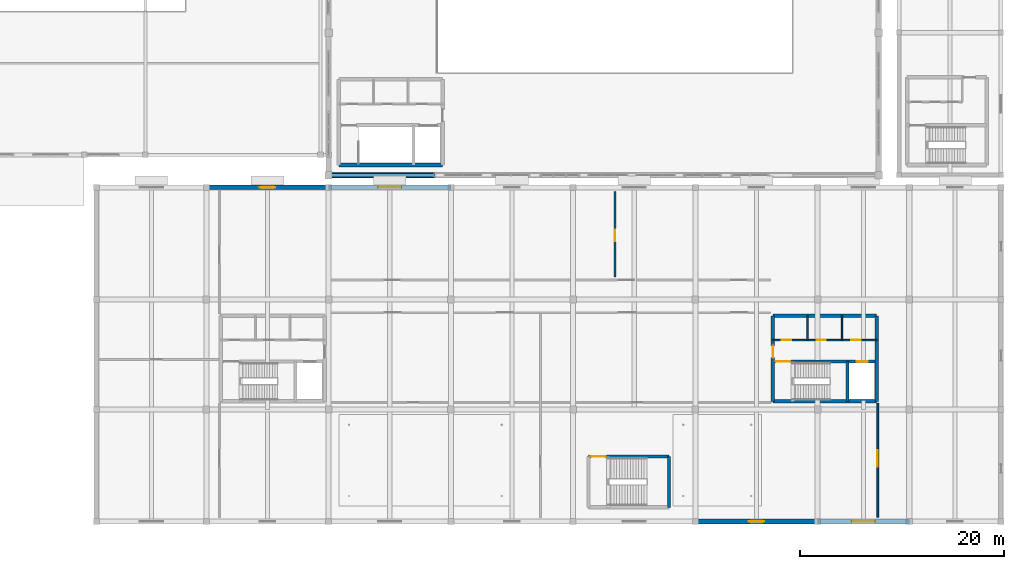
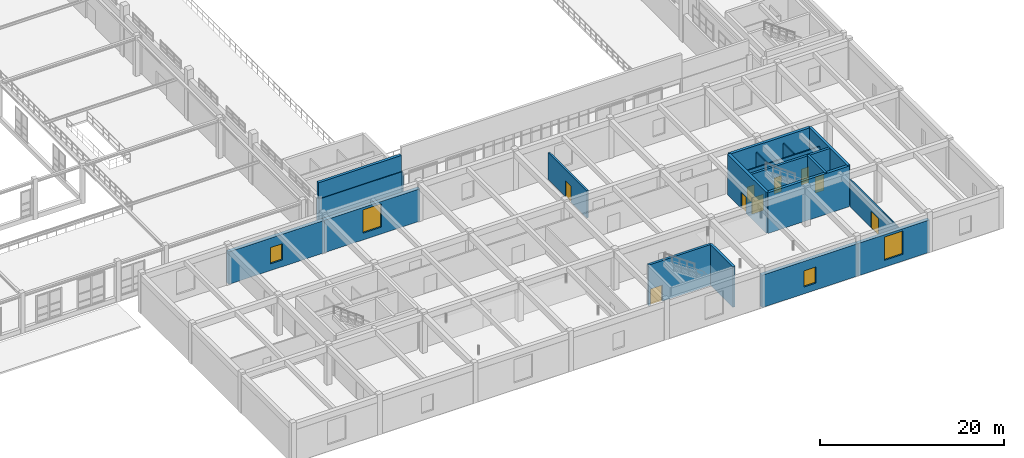
# One storey, part 176 of 197: 20 walls, 9 doors, 4 windows, 13 openings.
"""IFC4 building model written with IfcOpenShell, lengths in metres."""

from ifc_helpers import new_model, si_unit, derived_unit, direction, frame, frame_2d, origin, place, context, subcontext, project, spatial, rectangle, extrude, material, layer, layer_set, type_object, element, fill, save


model = new_model("IFC4")

# Units and contexts
model_context = context("Model", 3, precision=1e-05, world=origin(), true_north=direction((0.0, 1.0)))
body_context = subcontext(model_context, "Body", "Model", "MODEL_VIEW")
ifc_project = project(units=[si_unit("LENGTHUNIT", "METRE"), si_unit("AREAUNIT", "SQUARE_METRE"), si_unit("VOLUMEUNIT", "CUBIC_METRE"), si_unit("PLANEANGLEUNIT", "RADIAN"), si_unit("MASSUNIT", "GRAM", prefix="KILO"), derived_unit("THERMALTRANSMITTANCEUNIT", [(si_unit("POWERUNIT", "WATT"), 1), (si_unit("LENGTHUNIT", "METRE"), -2), (si_unit("THERMODYNAMICTEMPERATUREUNIT", "KELVIN"), -1)])], contexts=[model_context])

# Site, building, storey
site_placement = place(None, origin())
site = spatial("IfcSite", under=ifc_project, at=site_placement, CompositionType="ELEMENT")
building_placement = place(site_placement, origin())
building = spatial("IfcBuilding", under=site, at=building_placement, Name="Almenara Railside Exhibition Hall", CompositionType="ELEMENT")
storey_placement = place(building_placement, frame((0.0, 0.0, 5.39990234375)))
storey = spatial("IfcBuildingStorey", under=building, at=storey_placement, Name="L01", CompositionType="ELEMENT", Elevation=5.39990234375)

# Wall, opening, door
ifc_material_1 = material(Name="Double-stud acoustic gypsum partition")
ifc_layer_1 = layer(ifc_material_1, 0.159912109375, Name="Double-stud acoustic gypsum partition")
ifc_layer_set_1 = layer_set([ifc_layer_1], Name="Double-stud acoustic gypsum partition")
wall_type_1 = type_object("IfcWallType", Name="Acoustic Congress Partition 160mm", PredefinedType="PARTITIONING", material=ifc_layer_set_1)
wall_1_placement = place(storey_placement, frame((191.89990234375, 0.39990234375, 0.0), z_axis=(0.0, 0.0, 1.0), x_axis=(0.0, 1.0, 0.0)))
wall_1 = element("IfcWall", 1, at=wall_1_placement, inside=storey, type_object=wall_type_1, Name="Interior wall 0383", PredefinedType="PARTITIONING", context=body_context, shape_type="SweptSolid", body=[
    extrude(rectangle(XDim=11.2001953125, YDim=0.159912109375, at=frame_2d((5.60009765625, 0.0))), origin(), (0.0, 0.0, 1.0), 3.60009765625),
])
opening_1_placement = place(wall_1_placement, frame((5.0, 0.0, 0.0)))
opening_1 = element("IfcOpeningElement", 2, at=opening_1_placement, cuts=wall_1, Name="Opening ID-16", PredefinedType="OPENING", context=body_context, shape_type="SweptSolid", body=[
    extrude(rectangle(XDim=1.60009765625, YDim=2.199951171875, at=frame_2d((0.800048828125, 1.10009765625))), frame((0.0, 0.08984375, 0.0), z_axis=(0.0, -1.0, 0.0), x_axis=(1.0, 0.0, 0.0)), (0.0, 0.0, 1.0), 0.179931640625),
])
ifc_material_2 = material(Name="Iroko hardwood double door", Category="wood")
door_type_1 = type_object("IfcDoorType", Name="Meeting Suite Double Door 1600x2200", OperationType="NOTDEFINED", PredefinedType="DOOR", material=ifc_material_2)
door_1_placement = place(opening_1_placement, origin())
door_1 = element("IfcDoor", 3, at=door_1_placement, inside=storey, type_object=door_type_1, Name="Interior door ID-16-252", OperationType="DOUBLE_DOOR_SINGLE_SWING", OverallHeight=2.199951171875, OverallWidth=1.60009765625, PredefinedType="DOOR", context=body_context, shape_type="SweptSolid", body=[
    extrude(rectangle(XDim=1.60009765625, YDim=2.199951171875, at=frame_2d((0.800048828125, 1.10009765625))), frame((0.0, 0.02490234375, 0.0), z_axis=(0.0, -1.0, 0.0), x_axis=(1.0, 0.0, 0.0)), (0.0, 0.0, 1.0), 0.050048828125),
])
fill(opening_1, door_1)

# Walls
ifc_material_3 = material(Name="Concrete C35/45", Category="concrete")
ifc_layer_2 = layer(ifc_material_3, 0.35009765625, Name="Concrete C35/45")
ifc_layer_set_2 = layer_set([ifc_layer_2], Name="Concrete C35/45")
wall_type_2 = type_object("IfcWallType", Name="Core Coupled Shear Wall 350mm C35/45", PredefinedType="SHEAR", material=ifc_layer_set_2)
for number, where, z_axis, x_axis, name in (
    (4, (139.0, 35.0, 0.0), (0.0, 0.0, 1.0), (1.0, 0.0, 0.0), "Interior wall 0064"),
    (5, (181.60009765625, 11.800048828125, 0.0), (0.0, 0.0, 1.0), (1.0, 0.0, 0.0), "Interior wall 0163"),
    (6, (191.800048828125, 20.199951171875, 0.0), (0.0, 0.0, 1.0), (-1.0, 0.0, 0.0), "Interior wall 0164"),
):
    element("IfcWall", number, at=place(storey_placement, frame(where, z_axis=z_axis, x_axis=x_axis)), inside=storey, type_object=wall_type_2, Name=name, PredefinedType="SHEAR", context=body_context, shape_type="SweptSolid", body=[
        extrude(rectangle(XDim=10.199951171875, YDim=0.35009765625, at=frame_2d((5.10009765625, 0.0))), origin(), (0.0, 0.0, 1.0), 5.400146484375),
    ])

# Wall, opening, door
wall_2_placement = place(storey_placement, frame((181.60009765625, 20.199951171875, 0.0), z_axis=(0.0, 0.0, 1.0), x_axis=(0.0, -1.0, 0.0)))
wall_2 = element("IfcWall", 7, at=wall_2_placement, inside=storey, type_object=wall_type_2, Name="Interior wall 0165", PredefinedType="SHEAR", context=body_context, shape_type="SweptSolid", body=[
    extrude(rectangle(XDim=8.39990234375, YDim=0.35009765625, at=frame_2d((4.199951171875, 0.0))), origin(), (0.0, 0.0, 1.0), 5.400146484375),
])
opening_2_placement = place(wall_2_placement, frame((2.949951171875, 0.0, 0.0)))
opening_2 = element("IfcOpeningElement", 8, at=opening_2_placement, cuts=wall_2, Name="Opening FD-115", PredefinedType="OPENING", context=body_context, shape_type="SweptSolid", body=[
    extrude(rectangle(XDim=1.14990234375, YDim=2.14990234375, at=frame_2d((0.574951171875, 1.074951171875))), frame((0.0, 0.18505859375, 0.0), z_axis=(0.0, -1.0, 0.0), x_axis=(1.0, 0.0, 0.0)), (0.0, 0.0, 1.0), 0.3701171875),
])
ifc_material_4 = material(Name="Fire-rated iroko timber door", Category="wood")
door_type_2 = type_object("IfcDoorType", Name="Core Lobby Fire Door 1150x2150 EI60", OperationType="NOTDEFINED", PredefinedType="DOOR", material=ifc_material_4)
door_2_placement = place(opening_2_placement, origin())
door_2 = element("IfcDoor", 9, at=door_2_placement, inside=storey, type_object=door_type_2, Name="Interior door FD-115-109", OperationType="SINGLE_SWING_LEFT", OverallHeight=2.14990234375, OverallWidth=1.14990234375, PredefinedType="DOOR", context=body_context, shape_type="SweptSolid", body=[
    extrude(rectangle(XDim=1.14990234375, YDim=2.14990234375, at=frame_2d((0.574951171875, 1.074951171875))), frame((0.0, 0.02490234375, 0.0), z_axis=(0.0, -1.0, 0.0), x_axis=(1.0, 0.0, 0.0)), (0.0, 0.0, 1.0), 0.050048828125),
])
fill(opening_2, door_2)

# Walls
wall_3_placement = place(storey_placement, frame((191.800048828125, 11.800048828125, 0.0), z_axis=(0.0, 0.0, 1.0), x_axis=(0.0, 1.0, 0.0)))
element("IfcWall", 10, at=wall_3_placement, inside=storey, type_object=wall_type_2, Name="Interior wall 0166", PredefinedType="SHEAR", context=body_context, shape_type="SweptSolid", body=[
    extrude(rectangle(XDim=8.39990234375, YDim=0.35009765625, at=frame_2d((4.199951171875, 0.0))), origin(), (0.0, 0.0, 1.0), 5.400146484375),
])
ifc_material_5 = material(Name="Ochre-white lime-rendered masonry over Concrete C35/45", Category="masonry")
ifc_layer_3 = layer(ifc_material_5, 0.3349609375, Name="Ochre-white lime-rendered masonry over Concrete C35/45")
ifc_layer_set_3 = layer_set([ifc_layer_3], Name="Ochre-white lime-rendered masonry over Concrete C35/45")
wall_type_3 = type_object("IfcWallType", Name="Exterior Belvedere Wall 335mm C35/45", PredefinedType="SOLIDWALL", material=ifc_layer_set_3)
wall_4_placement = place(storey_placement, frame((138.0, 34.0, 6.400146484375), z_axis=(0.0, 0.0, 1.0), x_axis=(1.0, 0.0, 0.0)))
element("IfcWall", 11, at=wall_4_placement, inside=storey, type_object=wall_type_3, Name="Exterior wall 0330", PredefinedType="SOLIDWALL", context=body_context, shape_type="SweptSolid", body=[
    extrude(rectangle(XDim=10.39990234375, YDim=0.3349609375, at=frame_2d((5.199951171875, 0.0))), origin(), (0.0, 0.0, 1.0), 2.118408203125),
])

# Wall, opening, window
ifc_layer_4 = layer(ifc_material_5, 0.449951171875, Name="Ochre-white lime-rendered masonry over Concrete C35/45")
ifc_layer_set_4 = layer_set([ifc_layer_4], Name="Ochre-white lime-rendered masonry over Concrete C35/45")
wall_type_4 = type_object("IfcWallType", Name="Exterior Civic Stucco Wall 450mm C35/45", PredefinedType="SOLIDWALL", material=ifc_layer_set_4)
wall_5_placement = place(storey_placement, frame((138.0, 32.800048828125, 0.0), z_axis=(0.0, 0.0, 1.0), x_axis=(-1.0, 0.0, 0.0)))
wall_5 = element("IfcWall", 12, at=wall_5_placement, inside=storey, type_object=wall_type_4, Name="Exterior wall 0211", PredefinedType="SOLIDWALL", context=body_context, shape_type="SweptSolid", body=[
    extrude(rectangle(XDim=12.0, YDim=0.449951171875, at=frame_2d((6.0, 0.0))), origin(), (0.0, 0.0, 1.0), 4.300048828125),
])
opening_3_placement = place(wall_5_placement, frame((5.25, 0.0, 0.89990234375)))
opening_3 = element("IfcOpeningElement", 13, at=opening_3_placement, cuts=wall_5, Name="Opening W-08", PredefinedType="OPENING", context=body_context, shape_type="SweptSolid", body=[
    extrude(rectangle(XDim=1.5, YDim=2.14990234375, at=frame_2d((0.75, 1.074951171875))), frame((0.0, 0.23486328125, 0.0), z_axis=(0.0, -1.0, 0.0), x_axis=(1.0, 0.0, 0.0)), (0.0, 0.0, 1.0), 0.469970703125),
])
ifc_material_6 = material(Name="Bronze-anodised aluminium and low-E double glazing", Category="aluminium")
window_type_1 = type_object("IfcWindowType", Name="Seminar Deep-Reveal Window 1500x2150", PartitioningType="DOUBLE_PANEL_VERTICAL", PredefinedType="WINDOW", material=ifc_material_6)
window_1_placement = place(opening_3_placement, origin())
window_1 = element("IfcWindow", 14, at=window_1_placement, inside=storey, type_object=window_type_1, Name="Window 0066", OverallHeight=2.14990234375, OverallWidth=1.5, PartitioningType="DOUBLE_PANEL_VERTICAL", PredefinedType="WINDOW", context=body_context, shape_type="SweptSolid", body=[
    extrude(rectangle(XDim=1.5, YDim=2.14990234375, at=frame_2d((0.75, 1.074951171875))), frame((0.0, 0.030029296875, 0.0), z_axis=(0.0, -1.0, 0.0), x_axis=(1.0, 0.0, 0.0)), (0.0, 0.0, 1.0), 0.06005859375),
])
fill(opening_3, window_1)

wall_6_placement = place(storey_placement, frame((150.0, 32.800048828125, 0.0), z_axis=(0.0, 0.0, 1.0), x_axis=(-1.0, 0.0, 0.0)))
wall_6 = element("IfcWall", 15, at=wall_6_placement, inside=storey, type_object=wall_type_4, Name="Exterior wall 0213", PredefinedType="SOLIDWALL", context=body_context, shape_type="SweptSolid", body=[
    extrude(rectangle(XDim=12.0, YDim=0.449951171875, at=frame_2d((6.0, 0.0))), origin(), (0.0, 0.0, 1.0), 4.300048828125),
])
opening_4_placement = place(wall_6_placement, frame((4.85009765625, 0.0, 0.89990234375)))
opening_4 = element("IfcOpeningElement", 16, at=opening_4_placement, cuts=wall_6, Name="Opening W-02", PredefinedType="OPENING", context=body_context, shape_type="SweptSolid", body=[
    extrude(rectangle(XDim=2.300048828125, YDim=3.10009765625, at=frame_2d((1.14990234375, 1.550048828125))), frame((0.0, 0.23486328125, 0.0), z_axis=(0.0, -1.0, 0.0), x_axis=(1.0, 0.0, 0.0)), (0.0, 0.0, 1.0), 0.469970703125),
])
window_type_2 = type_object("IfcWindowType", Name="Arched Congress Tall Window 2300x3100", PartitioningType="DOUBLE_PANEL_VERTICAL", PredefinedType="WINDOW", material=ifc_material_6)
window_2_placement = place(opening_4_placement, origin())
window_2 = element("IfcWindow", 17, at=window_2_placement, inside=storey, type_object=window_type_2, Name="Window 0068", OverallHeight=3.10009765625, OverallWidth=2.300048828125, PartitioningType="DOUBLE_PANEL_VERTICAL", PredefinedType="WINDOW", context=body_context, shape_type="SweptSolid", body=[
    extrude(rectangle(XDim=2.300048828125, YDim=3.10009765625, at=frame_2d((1.14990234375, 1.550048828125))), frame((0.0, 0.030029296875, 0.0), z_axis=(0.0, -1.0, 0.0), x_axis=(1.0, 0.0, 0.0)), (0.0, 0.0, 1.0), 0.06005859375),
])
fill(opening_4, window_2)

wall_7_placement = place(storey_placement, frame((174.0, 0.0, 0.0), z_axis=(0.0, 0.0, 1.0), x_axis=(1.0, 0.0, 0.0)))
wall_7 = element("IfcWall", 18, at=wall_7_placement, inside=storey, type_object=wall_type_4, Name="Exterior wall 0218", PredefinedType="SOLIDWALL", context=body_context, shape_type="SweptSolid", body=[
    extrude(rectangle(XDim=12.0, YDim=0.449951171875, at=frame_2d((6.0, 0.0))), origin(), (0.0, 0.0, 1.0), 4.300048828125),
])
opening_5_placement = place(wall_7_placement, frame((5.25, 0.0, 0.89990234375)))
opening_5 = element("IfcOpeningElement", 19, at=opening_5_placement, cuts=wall_7, Name="Opening W-08", PredefinedType="OPENING", context=body_context, shape_type="SweptSolid", body=[
    extrude(rectangle(XDim=1.5, YDim=2.14990234375, at=frame_2d((0.75, 1.074951171875))), frame((0.0, 0.23486328125, 0.0), z_axis=(0.0, -1.0, 0.0), x_axis=(1.0, 0.0, 0.0)), (0.0, 0.0, 1.0), 0.469970703125),
])
window_3_placement = place(opening_5_placement, origin())
window_3 = element("IfcWindow", 20, at=window_3_placement, inside=storey, type_object=window_type_1, Name="Window 0073", OverallHeight=2.14990234375, OverallWidth=1.5, PartitioningType="DOUBLE_PANEL_VERTICAL", PredefinedType="WINDOW", context=body_context, shape_type="SweptSolid", body=[
    extrude(rectangle(XDim=1.5, YDim=2.14990234375, at=frame_2d((0.75, 1.074951171875))), frame((0.0, 0.030029296875, 0.0), z_axis=(0.0, -1.0, 0.0), x_axis=(1.0, 0.0, 0.0)), (0.0, 0.0, 1.0), 0.06005859375),
])
fill(opening_5, window_3)

wall_8_placement = place(storey_placement, frame((186.0, 0.0, 0.0), z_axis=(0.0, 0.0, 1.0), x_axis=(1.0, 0.0, 0.0)))
wall_8 = element("IfcWall", 21, at=wall_8_placement, inside=storey, type_object=wall_type_4, Name="Exterior wall 0220", PredefinedType="SOLIDWALL", context=body_context, shape_type="SweptSolid", body=[
    extrude(rectangle(XDim=9.0, YDim=0.449951171875, at=frame_2d((4.5, 0.0))), origin(), (0.0, 0.0, 1.0), 4.300048828125),
])
opening_6_placement = place(wall_8_placement, frame((3.35009765625, 0.0, 0.89990234375)))
opening_6 = element("IfcOpeningElement", 22, at=opening_6_placement, cuts=wall_8, Name="Opening W-02", PredefinedType="OPENING", context=body_context, shape_type="SweptSolid", body=[
    extrude(rectangle(XDim=2.300048828125, YDim=3.10009765625, at=frame_2d((1.14990234375, 1.550048828125))), frame((0.0, 0.23486328125, 0.0), z_axis=(0.0, -1.0, 0.0), x_axis=(1.0, 0.0, 0.0)), (0.0, 0.0, 1.0), 0.469970703125),
])
window_4_placement = place(opening_6_placement, origin())
window_4 = element("IfcWindow", 23, at=window_4_placement, inside=storey, type_object=window_type_2, Name="Window 0075", OverallHeight=3.10009765625, OverallWidth=2.300048828125, PartitioningType="DOUBLE_PANEL_VERTICAL", PredefinedType="WINDOW", context=body_context, shape_type="SweptSolid", body=[
    extrude(rectangle(XDim=2.300048828125, YDim=3.10009765625, at=frame_2d((1.14990234375, 1.550048828125))), frame((0.0, 0.030029296875, 0.0), z_axis=(0.0, -1.0, 0.0), x_axis=(1.0, 0.0, 0.0)), (0.0, 0.0, 1.0), 0.06005859375),
])
fill(opening_6, window_4)

# Wall
ifc_layer_5 = layer(ifc_material_5, 0.510009765625, Name="Ochre-white lime-rendered masonry over Concrete C35/45")
ifc_layer_set_5 = layer_set([ifc_layer_5], Name="Ochre-white lime-rendered masonry over Concrete C35/45")
wall_type_5 = type_object("IfcWallType", Name="Exterior East Hall Thermal Wall 510mm C35/45", PredefinedType="SOLIDWALL", material=ifc_layer_set_5)
wall_9_placement = place(storey_placement, frame((138.0, 34.0, 0.0), z_axis=(0.0, 0.0, 1.0), x_axis=(1.0, 0.0, 0.0)))
element("IfcWall", 24, at=wall_9_placement, inside=storey, type_object=wall_type_5, Name="Exterior wall 0097", PredefinedType="SOLIDWALL", context=body_context, shape_type="SweptSolid", body=[
    extrude(rectangle(XDim=10.39990234375, YDim=0.510009765625, at=frame_2d((5.199951171875, 0.0))), origin(), (0.0, 0.0, 1.0), 6.400146484375),
])

# Wall, opening, door
ifc_material_7 = material(Name="Insulated masonry over Concrete C35/45", Category="masonry")
ifc_layer_6 = layer(ifc_material_7, 0.219970703125, Name="Insulated masonry over Concrete C35/45")
ifc_layer_set_6 = layer_set([ifc_layer_6], Name="Insulated masonry over Concrete C35/45")
wall_type_6 = type_object("IfcWallType", Name="Occupancy Separating Fire Wall 220mm", PredefinedType="SOLIDWALL", material=ifc_layer_set_6)
wall_10_placement = place(storey_placement, frame((166.10009765625, 24.0, 0.0), z_axis=(0.0, 0.0, 1.0), x_axis=(0.0, 1.0, 0.0)))
wall_10 = element("IfcWall", 25, at=wall_10_placement, inside=storey, type_object=wall_type_6, Name="Interior wall 0379", PredefinedType="SOLIDWALL", context=body_context, shape_type="SweptSolid", body=[
    extrude(rectangle(XDim=8.39990234375, YDim=0.219970703125, at=frame_2d((4.199951171875, 0.0))), origin(), (0.0, 0.0, 1.0), 3.60009765625),
])
opening_7_placement = place(wall_10_placement, frame((3.5, 0.0, 0.0)))
opening_7 = element("IfcOpeningElement", 26, at=opening_7_placement, cuts=wall_10, Name="Opening FD-115", PredefinedType="OPENING", context=body_context, shape_type="SweptSolid", body=[
    extrude(rectangle(XDim=1.14990234375, YDim=2.14990234375, at=frame_2d((0.574951171875, 1.074951171875))), frame((0.0, 0.119873046875, 0.0), z_axis=(0.0, -1.0, 0.0), x_axis=(1.0, 0.0, 0.0)), (0.0, 0.0, 1.0), 0.239990234375),
])
door_3_placement = place(opening_7_placement, origin())
door_3 = element("IfcDoor", 27, at=door_3_placement, inside=storey, type_object=door_type_2, Name="Interior door FD-115-248", OperationType="SINGLE_SWING_RIGHT", OverallHeight=2.14990234375, OverallWidth=1.14990234375, PredefinedType="DOOR", context=body_context, shape_type="SweptSolid", body=[
    extrude(rectangle(XDim=1.14990234375, YDim=2.14990234375, at=frame_2d((0.574951171875, 1.074951171875))), frame((0.0, 0.02490234375, 0.0), z_axis=(0.0, -1.0, 0.0), x_axis=(1.0, 0.0, 0.0)), (0.0, 0.0, 1.0), 0.050048828125),
])
fill(opening_7, door_3)

# Wall, openings, doors
ifc_material_8 = material(Name="Moisture-resistant tiled masonry partition", Category="masonry")
ifc_layer_7 = layer(ifc_material_8, 0.139892578125, Name="Moisture-resistant tiled masonry partition")
ifc_layer_set_7 = layer_set([ifc_layer_7], Name="Moisture-resistant tiled masonry partition")
wall_type_7 = type_object("IfcWallType", Name="Sanitary Wet-Wall Partition 140mm", PredefinedType="PARTITIONING", material=ifc_layer_set_7)
wall_11_placement = place(storey_placement, frame((181.60009765625, 17.800048828125, 0.0), z_axis=(0.0, 0.0, 1.0), x_axis=(1.0, 0.0, 0.0)))
wall_11 = element("IfcWall", 28, at=wall_11_placement, inside=storey, type_object=wall_type_7, Name="Interior wall 0169", PredefinedType="PARTITIONING", context=body_context, shape_type="SweptSolid", body=[
    extrude(rectangle(XDim=10.199951171875, YDim=0.139892578125, at=frame_2d((5.10009765625, 0.0))), origin(), (0.0, 0.0, 1.0), 4.3251953125),
])
opening_8_placement = place(wall_11_placement, frame((0.89990234375, 0.0, 0.0)))
opening_8 = element("IfcOpeningElement", 29, at=opening_8_placement, cuts=wall_11, Name="Opening ID-09", PredefinedType="OPENING", context=body_context, shape_type="SweptSolid", body=[
    extrude(rectangle(XDim=0.89990234375, YDim=2.10009765625, at=frame_2d((0.449951171875, 1.050048828125))), frame((0.0, 0.079833984375, 0.0), z_axis=(0.0, -1.0, 0.0), x_axis=(1.0, 0.0, 0.0)), (0.0, 0.0, 1.0), 0.159912109375),
])
opening_9_placement = place(wall_11_placement, frame((4.300048828125, 0.0, 0.0)))
opening_9 = element("IfcOpeningElement", 30, at=opening_9_placement, cuts=wall_11, Name="Opening ID-09", PredefinedType="OPENING", context=body_context, shape_type="SweptSolid", body=[
    extrude(rectangle(XDim=0.89990234375, YDim=2.10009765625, at=frame_2d((0.449951171875, 1.050048828125))), frame((0.0, 0.079833984375, 0.0), z_axis=(0.0, -1.0, 0.0), x_axis=(1.0, 0.0, 0.0)), (0.0, 0.0, 1.0), 0.159912109375),
])
opening_10_placement = place(wall_11_placement, frame((7.699951171875, 0.0, 0.0)))
opening_10 = element("IfcOpeningElement", 31, at=opening_10_placement, cuts=wall_11, Name="Opening ID-095", PredefinedType="OPENING", context=body_context, shape_type="SweptSolid", body=[
    extrude(rectangle(XDim=0.949951171875, YDim=2.10009765625, at=frame_2d((0.47509765625, 1.050048828125))), frame((0.0, 0.079833984375, 0.0), z_axis=(0.0, -1.0, 0.0), x_axis=(1.0, 0.0, 0.0)), (0.0, 0.0, 1.0), 0.159912109375),
])
ifc_material_9 = material(Name="Moisture-resistant hardwood door", Category="wood")
door_type_3 = type_object("IfcDoorType", Name="Accessible Toilet Door 950x2100", OperationType="NOTDEFINED", PredefinedType="DOOR", material=ifc_material_9)
door_4_placement = place(opening_10_placement, origin())
door_4 = element("IfcDoor", 32, at=door_4_placement, inside=storey, type_object=door_type_3, Name="Interior door ID-095-114", OperationType="SINGLE_SWING_RIGHT", OverallHeight=2.10009765625, OverallWidth=0.949951171875, PredefinedType="DOOR", context=body_context, shape_type="SweptSolid", body=[
    extrude(rectangle(XDim=0.949951171875, YDim=2.10009765625, at=frame_2d((0.47509765625, 1.050048828125))), frame((0.0, 0.02490234375, 0.0), z_axis=(0.0, -1.0, 0.0), x_axis=(1.0, 0.0, 0.0)), (0.0, 0.0, 1.0), 0.050048828125),
])
fill(opening_10, door_4)
door_type_4 = type_object("IfcDoorType", Name="Sanitary Lobby Single Door 900x2100", OperationType="NOTDEFINED", PredefinedType="DOOR", material=ifc_material_9)
door_5_placement = place(opening_8_placement, origin())
door_5 = element("IfcDoor", 33, at=door_5_placement, inside=storey, type_object=door_type_4, Name="Interior door ID-09-112", OperationType="SINGLE_SWING_RIGHT", OverallHeight=2.10009765625, OverallWidth=0.89990234375, PredefinedType="DOOR", context=body_context, shape_type="SweptSolid", body=[
    extrude(rectangle(XDim=0.89990234375, YDim=2.10009765625, at=frame_2d((0.449951171875, 1.050048828125))), frame((0.0, 0.02490234375, 0.0), z_axis=(0.0, -1.0, 0.0), x_axis=(1.0, 0.0, 0.0)), (0.0, 0.0, 1.0), 0.050048828125),
])
fill(opening_8, door_5)
door_6_placement = place(opening_9_placement, origin())
door_6 = element("IfcDoor", 34, at=door_6_placement, inside=storey, type_object=door_type_4, Name="Interior door ID-09-113", OperationType="SINGLE_SWING_LEFT", OverallHeight=2.10009765625, OverallWidth=0.89990234375, PredefinedType="DOOR", context=body_context, shape_type="SweptSolid", body=[
    extrude(rectangle(XDim=0.89990234375, YDim=2.10009765625, at=frame_2d((0.449951171875, 1.050048828125))), frame((0.0, 0.02490234375, 0.0), z_axis=(0.0, -1.0, 0.0), x_axis=(1.0, 0.0, 0.0)), (0.0, 0.0, 1.0), 0.050048828125),
])
fill(opening_9, door_6)

# Walls
for number, where, z_axis, x_axis, name in (
    (35, (185.0, 17.800048828125, 0.0), (0.0, 0.0, 1.0), (0.0, 1.0, 0.0), "Interior wall 0170"),
    (36, (188.39990234375, 17.800048828125, 0.0), (0.0, 0.0, 1.0), (0.0, 1.0, 0.0), "Interior wall 0171"),
):
    element("IfcWall", number, at=place(storey_placement, frame(where, z_axis=z_axis, x_axis=x_axis)), inside=storey, type_object=wall_type_7, Name=name, PredefinedType="PARTITIONING", context=body_context, shape_type="SweptSolid", body=[
        extrude(rectangle(XDim=2.39990234375, YDim=0.139892578125, at=frame_2d((1.199951171875, 0.0))), origin(), (0.0, 0.0, 1.0), 4.5),
    ])

# Wall, openings, doors
ifc_layer_8 = layer(ifc_material_3, 0.300048828125, Name="Concrete C35/45")
ifc_layer_set_8 = layer_set([ifc_layer_8], Name="Concrete C35/45")
wall_type_8 = type_object("IfcWallType", Name="Stair and Lift Shaft Wall 300mm C35/45", PredefinedType="SHEAR", material=ifc_layer_set_8)
wall_12_placement = place(storey_placement, frame((181.60009765625, 15.699951171875, 0.0), z_axis=(0.0, 0.0, 1.0), x_axis=(1.0, 0.0, 0.0)))
wall_12 = element("IfcWall", 37, at=wall_12_placement, inside=storey, type_object=wall_type_8, Name="Interior wall 0167", PredefinedType="SHEAR", context=body_context, shape_type="SweptSolid", body=[
    extrude(rectangle(XDim=10.199951171875, YDim=0.300048828125, at=frame_2d((5.10009765625, 0.0))), origin(), (0.0, 0.0, 1.0), 5.400146484375),
])
opening_11_placement = place(wall_12_placement, frame((0.280029296875, 0.0, 0.0)))
opening_11 = element("IfcOpeningElement", 38, at=opening_11_placement, cuts=wall_12, Name="Opening FD-145", PredefinedType="OPENING", context=body_context, shape_type="SweptSolid", body=[
    extrude(rectangle(XDim=1.449951171875, YDim=2.14990234375, at=frame_2d((0.72509765625, 1.074951171875))), frame((0.0, 0.159912109375, 0.0), z_axis=(0.0, -1.0, 0.0), x_axis=(1.0, 0.0, 0.0)), (0.0, 0.0, 1.0), 0.320068359375),
])
opening_12_placement = place(wall_12_placement, frame((8.22509765625, 0.0, 0.0)))
opening_12 = element("IfcOpeningElement", 39, at=opening_12_placement, cuts=wall_12, Name="Opening LD-11-C6", PredefinedType="OPENING", context=body_context, shape_type="SweptSolid", body=[
    extrude(rectangle(XDim=1.10009765625, YDim=2.14990234375, at=frame_2d((0.550048828125, 1.074951171875))), frame((0.0, 0.159912109375, 0.0), z_axis=(0.0, -1.0, 0.0), x_axis=(1.0, 0.0, 0.0)), (0.0, 0.0, 1.0), 0.320068359375),
])
ifc_material_10 = material(Name="Steel-framed fire-rated timber door", Category="steel")
door_type_5 = type_object("IfcDoorType", Name="Fire Escape Stair Door 1450x2150 EI60", OperationType="NOTDEFINED", PredefinedType="DOOR", material=ifc_material_10)
door_7_placement = place(opening_11_placement, origin())
door_7 = element("IfcDoor", 40, at=door_7_placement, inside=storey, type_object=door_type_5, Name="Interior door FD-145-110", OperationType="DOUBLE_DOOR_SINGLE_SWING", OverallHeight=2.14990234375, OverallWidth=1.449951171875, PredefinedType="DOOR", context=body_context, shape_type="SweptSolid", body=[
    extrude(rectangle(XDim=1.449951171875, YDim=2.14990234375, at=frame_2d((0.72509765625, 1.074951171875))), frame((0.0, 0.02490234375, 0.0), z_axis=(0.0, -1.0, 0.0), x_axis=(1.0, 0.0, 0.0)), (0.0, 0.0, 1.0), 0.050048828125),
])
fill(opening_11, door_7)
ifc_material_11 = material(Name="Brushed bronze-stainless steel sliding landing door", Category="steel")
door_type_6 = type_object("IfcDoorType", Name="Passenger Lift Sliding Landing Door 1100x2150", OperationType="DOUBLE_DOOR_SLIDING", PredefinedType="DOOR", material=ifc_material_11)
door_8_placement = place(opening_12_placement, origin())
door_8 = element("IfcDoor", 41, at=door_8_placement, inside=storey, type_object=door_type_6, Name="Interior door LD-11-C6-111", OperationType="DOUBLE_DOOR_SLIDING", OverallHeight=2.14990234375, OverallWidth=1.10009765625, PredefinedType="DOOR", context=body_context, shape_type="SweptSolid", body=[
    extrude(rectangle(XDim=1.10009765625, YDim=2.14990234375, at=frame_2d((0.550048828125, 1.074951171875))), frame((0.0, 0.02490234375, 0.0), z_axis=(0.0, -1.0, 0.0), x_axis=(1.0, 0.0, 0.0)), (0.0, 0.0, 1.0), 0.050048828125),
])
fill(opening_12, door_8)

# Wall
wall_13_placement = place(storey_placement, frame((188.949951171875, 11.800048828125, 0.0), z_axis=(0.0, 0.0, 1.0), x_axis=(0.0, 1.0, 0.0)))
element("IfcWall", 42, at=wall_13_placement, inside=storey, type_object=wall_type_8, Name="Interior wall 0168", PredefinedType="SHEAR", context=body_context, shape_type="SweptSolid", body=[
    extrude(rectangle(XDim=3.89990234375, YDim=0.300048828125, at=frame_2d((1.949951171875, 0.0))), origin(), (0.0, 0.0, 1.0), 5.400146484375),
])

# Wall, opening, door
wall_14_placement = place(storey_placement, frame((171.39990234375, 6.39990234375, 0.0), z_axis=(0.0, 0.0, 1.0), x_axis=(-1.0, 0.0, 0.0)))
wall_14 = element("IfcWall", 43, at=wall_14_placement, inside=storey, type_object=wall_type_8, Name="Interior wall 0321", PredefinedType="SHEAR", context=body_context, shape_type="SweptSolid", body=[
    extrude(rectangle(XDim=7.89990234375, YDim=0.300048828125, at=frame_2d((3.949951171875, 0.0))), origin(), (0.0, 0.0, 1.0), 5.400146484375),
])
opening_13_placement = place(wall_14_placement, frame((6.199951171875, 0.0, 0.0)))
opening_13 = element("IfcOpeningElement", 44, at=opening_13_placement, cuts=wall_14, Name="Opening FD-145", PredefinedType="OPENING", context=body_context, shape_type="SweptSolid", body=[
    extrude(rectangle(XDim=1.449951171875, YDim=2.14990234375, at=frame_2d((0.72509765625, 1.074951171875))), frame((0.0, 0.159912109375, 0.0), z_axis=(0.0, -1.0, 0.0), x_axis=(1.0, 0.0, 0.0)), (0.0, 0.0, 1.0), 0.320068359375),
])
door_9_placement = place(opening_13_placement, origin())
door_9 = element("IfcDoor", 45, at=door_9_placement, inside=storey, type_object=door_type_5, Name="Interior door FD-145-195", OperationType="DOUBLE_DOOR_SINGLE_SWING", OverallHeight=2.14990234375, OverallWidth=1.449951171875, PredefinedType="DOOR", context=body_context, shape_type="SweptSolid", body=[
    extrude(rectangle(XDim=1.449951171875, YDim=2.14990234375, at=frame_2d((0.72509765625, 1.074951171875))), frame((0.0, 0.02490234375, 0.0), z_axis=(0.0, -1.0, 0.0), x_axis=(1.0, 0.0, 0.0)), (0.0, 0.0, 1.0), 0.050048828125),
])
fill(opening_13, door_9)

# Wall
wall_15_placement = place(storey_placement, frame((171.39990234375, 1.39990234375, 0.0), z_axis=(0.0, 0.0, 1.0), x_axis=(0.0, 1.0, 0.0)))
element("IfcWall", 46, at=wall_15_placement, inside=storey, type_object=wall_type_8, Name="Interior wall 0323", PredefinedType="SHEAR", context=body_context, shape_type="SweptSolid", body=[
    extrude(rectangle(XDim=5.0, YDim=0.300048828125, at=frame_2d((2.5, 0.0))), origin(), (0.0, 0.0, 1.0), 5.400146484375),
])

save(model, "model.ifc")
